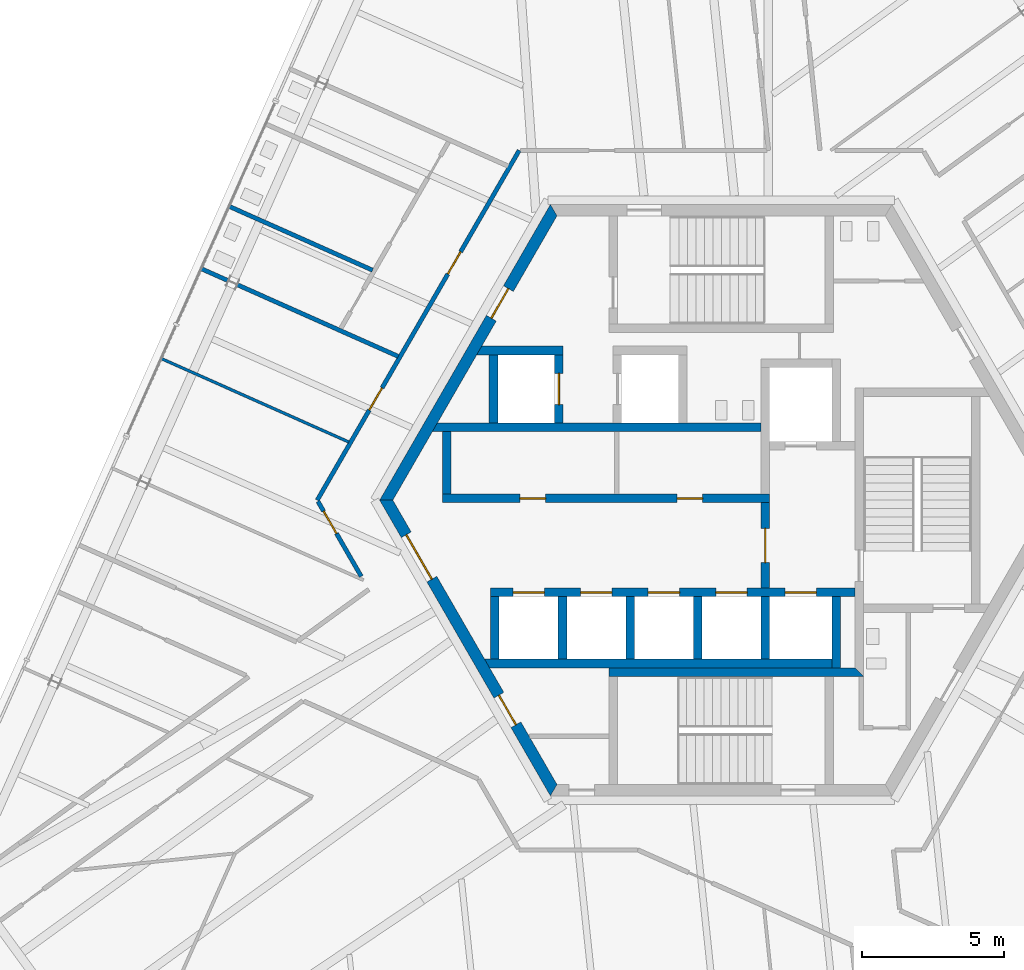
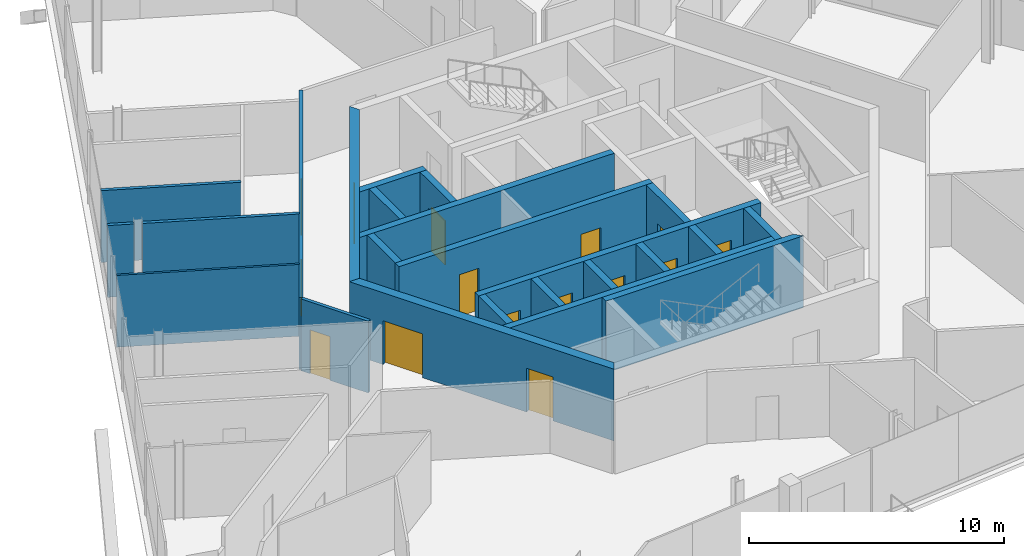
# One storey, part 12 of 19: 24 walls, 15 doors, 15 openings.
"""IFC4 building model written with IfcOpenShell, lengths in metres."""

from ifc_helpers import new_model, si_unit, direction, frame, frame_2d, origin, place, context, subcontext, project, spatial, polyline, rectangle, outline, extrude, source, transform, mapped, material, layer, layer_set, type_object, element, fill, save


model = new_model("IFC4")

# Units and contexts
model_context = context("Model", 3, precision=1e-05, world=origin(), true_north=direction((0.0, 1.0)))
body_context = subcontext(model_context, "Body", "Model", "MODEL_VIEW")
ifc_project = project(units=[si_unit("LENGTHUNIT", "METRE"), si_unit("AREAUNIT", "SQUARE_METRE"), si_unit("VOLUMEUNIT", "CUBIC_METRE"), si_unit("PLANEANGLEUNIT", "RADIAN"), si_unit("MASSUNIT", "GRAM", prefix="KILO")], contexts=[model_context])

# Site, building, storey
site_placement = place(None, origin())
site = spatial("IfcSite", under=ifc_project, at=site_placement, CompositionType="ELEMENT")
building_placement = place(site_placement, origin())
building = spatial("IfcBuilding", under=site, at=building_placement, Name="Triune Harvest Tower", CompositionType="ELEMENT")
storey_placement = place(building_placement, frame((0.0, 0.0, 223.300048828125)))
storey = spatial("IfcBuildingStorey", under=building, at=storey_placement, Name="L58", CompositionType="ELEMENT", Elevation=223.300048828125)

# Wall
ifc_material_1 = material(Name="Gypsum board on steel studs", Category="steel")
ifc_layer_1 = layer(ifc_material_1, 0.10009765625)
ifc_layer_set_1 = layer_set([ifc_layer_1], Name="Gypsum board on steel studs")
wall_type_1 = type_object("IfcWallType", Name="Partition 100 mm", PredefinedType="PARTITIONING", material=ifc_layer_set_1)
wall_1_placement = place(storey_placement, frame((-19.6796875, 4.979248046875, 0.0), z_axis=(0.0, 0.0, 1.0), x_axis=(0.91354782741, -0.40673132045, 0.0)))
element("IfcWall", 1, at=wall_1_placement, inside=storey, type_object=wall_type_1, Name="Partition L58 024", PredefinedType="PARTITIONING", context=body_context, shape_type="SweptSolid", body=[
    extrude(rectangle(XDim=7.220458984375, YDim=0.10009765625, at=frame_2d((3.6103515625, 0.0))), origin(), (0.0, 0.0, 1.0), 3.43994140625),
])

# Wall, opening, door
ifc_material_2 = material(Name="Concrete 70 MPa", Category="concrete")
ifc_layer_2 = layer(ifc_material_2, 0.39990234375)
ifc_layer_set_2 = layer_set([ifc_layer_2], Name="Concrete 70 MPa")
wall_type_2 = type_object("IfcWallType", Name="Core wall 400", PredefinedType="SHEAR", material=ifc_layer_set_2)
shared_shape_1 = source(origin(), body_context, "Body", "SweptSolid", [
    extrude(outline(polyline([(-0.115478515625, -0.199951171875), (11.884521484375, -0.199951171875), (11.653564453125, 0.199951171875), (0.115478515625, 0.199951171875), (-0.115478515625, -0.199951171875)])), origin(), (0.0, 0.0, 1.0), 3.43994140625),
])
wall_2_placement = place(storey_placement, frame((-5.884521484375, 10.1923828125, 0.0), z_axis=(0.0, 0.0, 1.0), x_axis=(-0.499996592174, -0.866027371285, 0.0)))
wall_2 = element("IfcWall", 2, at=wall_2_placement, inside=storey, type_object=wall_type_2, Name="Hexagon 2 wall", PredefinedType="SHEAR", context=body_context, shape_type="MappedRepresentation", body=[
    mapped(shared_shape_1, transform((0.0, 0.0, 0.0), scale=1.0)),
])
opening_1_placement = place(wall_2_placement, frame((3.1845703125, 0.0, 0.0)))
opening_1 = element("IfcOpeningElement", 3, at=opening_1_placement, cuts=wall_2, Name="Opening CD-SVP", PredefinedType="OPENING", context=body_context, shape_type="SweptSolid", body=[
    extrude(rectangle(XDim=1.199951171875, YDim=2.10009765625, at=frame_2d((0.60009765625, 1.050048828125))), frame((0.0, 0.2099609375, 0.0), z_axis=(0.0, -1.0, 0.0), x_axis=(1.0, 0.0, 0.0)), (0.0, 0.0, 1.0), 0.419921875),
])
ifc_material_3 = material(Name="Steel S235", Category="steel")
door_type_1 = type_object("IfcDoorType", Name="Service door 1200 FD120", OperationType="SINGLE_SWING_LEFT", PredefinedType="DOOR", material=ifc_material_3)
door_1_placement = place(opening_1_placement, frame((1.199951171875, 0.0, 0.0), z_axis=(0.0, 0.0, 1.0), x_axis=(-1.0, 0.0, 0.0)))
door_1 = element("IfcDoor", 4, at=door_1_placement, inside=storey, type_object=door_type_1, Name="Door CD-SVP", OperationType="SINGLE_SWING_RIGHT", OverallHeight=2.10009765625, OverallWidth=1.199951171875, PredefinedType="DOOR", context=body_context, shape_type="SweptSolid", body=[
    extrude(rectangle(XDim=1.199951171875, YDim=2.10009765625, at=frame_2d((0.60009765625, 1.050048828125))), frame((0.0, 0.02490234375, 0.0), z_axis=(0.0, -1.0, 0.0), x_axis=(1.0, 0.0, 0.0)), (0.0, 0.0, 1.0), 0.050048828125),
])
fill(opening_1, door_1)

# Wall, openings, doors
wall_3_placement = place(storey_placement, frame((-11.76904296875, 0.0, 0.0), z_axis=(0.0, 0.0, 1.0), x_axis=(0.499996592174, -0.866027371285, 0.0)))
wall_3 = element("IfcWall", 5, at=wall_3_placement, inside=storey, type_object=wall_type_2, Name="Hexagon 3 wall", PredefinedType="SHEAR", context=body_context, shape_type="MappedRepresentation", body=[
    mapped(shared_shape_1, transform((0.0, 0.0, 0.0), scale=1.0)),
])
opening_2_placement = place(wall_3_placement, frame((1.404541015625, 0.0, 0.0)))
opening_2 = element("IfcOpeningElement", 6, at=opening_2_placement, cuts=wall_3, Name="Opening CD-LS", PredefinedType="OPENING", context=body_context, shape_type="SweptSolid", body=[
    extrude(rectangle(XDim=1.800048828125, YDim=2.10009765625, at=frame_2d((0.89990234375, 1.050048828125))), frame((0.0, 0.2099609375, 0.0), z_axis=(0.0, -1.0, 0.0), x_axis=(1.0, 0.0, 0.0)), (0.0, 0.0, 1.0), 0.419921875),
])
opening_3_placement = place(wall_3_placement, frame((7.91455078125, 0.0, 0.0)))
opening_3 = element("IfcOpeningElement", 7, at=opening_3_placement, cuts=wall_3, Name="Opening CD-SWP", PredefinedType="OPENING", context=body_context, shape_type="SweptSolid", body=[
    extrude(rectangle(XDim=1.199951171875, YDim=2.10009765625, at=frame_2d((0.60009765625, 1.050048828125))), frame((0.0, 0.2099609375, 0.0), z_axis=(0.0, -1.0, 0.0), x_axis=(1.0, 0.0, 0.0)), (0.0, 0.0, 1.0), 0.419921875),
])
ifc_material_4 = material(Name="Steel S235", Category="steel")
door_type_2 = type_object("IfcDoorType", Name="Lobby door 1800 FD120", OperationType="DOUBLE_DOOR_DOUBLE_SWING", PredefinedType="DOOR", material=ifc_material_4)
door_2_placement = place(opening_2_placement, frame((1.800048828125, 0.0, 0.0), z_axis=(0.0, 0.0, 1.0), x_axis=(-1.0, 0.0, 0.0)))
door_2 = element("IfcDoor", 8, at=door_2_placement, inside=storey, type_object=door_type_2, Name="Door CD-LS", OperationType="DOUBLE_DOOR_DOUBLE_SWING", OverallHeight=2.10009765625, OverallWidth=1.800048828125, PredefinedType="DOOR", context=body_context, shape_type="SweptSolid", body=[
    extrude(rectangle(XDim=1.800048828125, YDim=2.10009765625, at=frame_2d((0.89990234375, 1.050048828125))), frame((0.0, 0.02490234375, 0.0), z_axis=(0.0, -1.0, 0.0), x_axis=(1.0, 0.0, 0.0)), (0.0, 0.0, 1.0), 0.050048828125),
])
fill(opening_2, door_2)
door_3_placement = place(opening_3_placement, frame((1.199951171875, 0.0, 0.0), z_axis=(0.0, 0.0, 1.0), x_axis=(-1.0, 0.0, 0.0)))
door_3 = element("IfcDoor", 9, at=door_3_placement, inside=storey, type_object=door_type_1, Name="Door CD-SWP", OperationType="SINGLE_SWING_RIGHT", OverallHeight=2.10009765625, OverallWidth=1.199951171875, PredefinedType="DOOR", context=body_context, shape_type="SweptSolid", body=[
    extrude(rectangle(XDim=1.199951171875, YDim=2.10009765625, at=frame_2d((0.60009765625, 1.050048828125))), frame((0.0, 0.02490234375, 0.0), z_axis=(0.0, -1.0, 0.0), x_axis=(1.0, 0.0, 0.0)), (0.0, 0.0, 1.0), 0.050048828125),
])
fill(opening_3, door_3)

ifc_material_5 = material(Name="Concrete 70 MPa", Category="concrete")
ifc_layer_3 = layer(ifc_material_5, 0.300048828125)
ifc_layer_set_3 = layer_set([ifc_layer_3], Name="Concrete 70 MPa")
wall_type_3 = type_object("IfcWallType", Name="Core wall 300", PredefinedType="SHEAR", material=ifc_layer_set_3)
shared_shape_2 = source(origin(), body_context, "Body", "SweptSolid", [
    extrude(rectangle(XDim=11.5, YDim=0.300048828125, at=frame_2d((5.75, 0.0))), origin(), (0.0, 0.0, 1.0), 3.43994140625),
])
wall_4_placement = place(storey_placement, frame((-9.800048828125, 0.06005859375, 0.0), z_axis=(0.0, 0.0, 1.0), x_axis=(1.0, 0.0, 0.0)))
wall_4 = element("IfcWall", 10, at=wall_4_placement, inside=storey, type_object=wall_type_3, Name="North front wall", PredefinedType="SHEAR", context=body_context, shape_type="MappedRepresentation", body=[
    mapped(shared_shape_2, transform((0.0, 0.0, 0.0), scale=1.0)),
])
opening_4_placement = place(wall_4_placement, frame((2.7275390625, 0.0, 0.0)))
opening_4 = element("IfcOpeningElement", 11, at=opening_4_placement, cuts=wall_4, Name="Opening CD-RN1", PredefinedType="OPENING", context=body_context, shape_type="SweptSolid", body=[
    extrude(rectangle(XDim=0.89990234375, YDim=2.10009765625, at=frame_2d((0.449951171875, 1.050048828125))), frame((0.0, 0.16015625, 0.0), z_axis=(0.0, -1.0, 0.0), x_axis=(1.0, 0.0, 0.0)), (0.0, 0.0, 1.0), 0.320068359375),
])
opening_5_placement = place(wall_4_placement, frame((8.25244140625, 0.0, 0.0)))
opening_5 = element("IfcOpeningElement", 12, at=opening_5_placement, cuts=wall_4, Name="Opening CD-RN2", PredefinedType="OPENING", context=body_context, shape_type="SweptSolid", body=[
    extrude(rectangle(XDim=0.89990234375, YDim=2.10009765625, at=frame_2d((0.449951171875, 1.050048828125))), frame((0.0, 0.16015625, 0.0), z_axis=(0.0, -1.0, 0.0), x_axis=(1.0, 0.0, 0.0)), (0.0, 0.0, 1.0), 0.320068359375),
])
ifc_material_6 = material(Name="Steel S235", Category="steel")
door_type_3 = type_object("IfcDoorType", Name="Riser door 900 FD120", OperationType="SINGLE_SWING_LEFT", PredefinedType="DOOR", material=ifc_material_6)
door_4_placement = place(opening_4_placement, frame((0.89990234375, 0.0, 0.0), z_axis=(0.0, 0.0, 1.0), x_axis=(-1.0, 0.0, 0.0)))
door_4 = element("IfcDoor", 13, at=door_4_placement, inside=storey, type_object=door_type_3, Name="Door CD-RN1", OperationType="SINGLE_SWING_RIGHT", OverallHeight=2.10009765625, OverallWidth=0.89990234375, PredefinedType="DOOR", context=body_context, shape_type="SweptSolid", body=[
    extrude(rectangle(XDim=0.89990234375, YDim=2.10009765625, at=frame_2d((0.449951171875, 1.050048828125))), frame((0.0, 0.02490234375, 0.0), z_axis=(0.0, -1.0, 0.0), x_axis=(1.0, 0.0, 0.0)), (0.0, 0.0, 1.0), 0.050048828125),
])
fill(opening_4, door_4)
door_5_placement = place(opening_5_placement, frame((0.89990234375, 0.0, 0.0), z_axis=(0.0, 0.0, 1.0), x_axis=(-1.0, 0.0, 0.0)))
door_5 = element("IfcDoor", 14, at=door_5_placement, inside=storey, type_object=door_type_3, Name="Door CD-RN2", OperationType="SINGLE_SWING_RIGHT", OverallHeight=2.10009765625, OverallWidth=0.89990234375, PredefinedType="DOOR", context=body_context, shape_type="SweptSolid", body=[
    extrude(rectangle(XDim=0.89990234375, YDim=2.10009765625, at=frame_2d((0.449951171875, 1.050048828125))), frame((0.0, 0.02490234375, 0.0), z_axis=(0.0, -1.0, 0.0), x_axis=(1.0, 0.0, 0.0)), (0.0, 0.0, 1.0), 0.050048828125),
])
fill(opening_5, door_5)

# Walls
shared_shape_3 = source(origin(), body_context, "Body", "SweptSolid", [
    extrude(outline(polyline([(11.199951171875, -0.14990234375), (-0.34912109375, -0.14990234375), (-0.17578125, 0.14990234375), (11.199951171875, 0.14990234375), (11.199951171875, -0.14990234375)])), origin(), (0.0, 0.0, 1.0), 3.43994140625),
])
wall_5_placement = place(storey_placement, frame((-9.800048828125, 2.56005859375, 0.0), z_axis=(0.0, 0.0, 1.0), x_axis=(1.0, 0.0, 0.0)))
element("IfcWall", 15, at=wall_5_placement, inside=storey, type_object=wall_type_3, Name="North back wall", PredefinedType="SHEAR", context=body_context, shape_type="MappedRepresentation", body=[
    mapped(shared_shape_3, transform((0.0, 0.0, 0.0), scale=1.0)),
])
shared_shape_4 = source(origin(), body_context, "Body", "SweptSolid", [
    extrude(rectangle(XDim=2.5, YDim=0.300048828125, at=frame_2d((1.25, 0.0))), origin(), (0.0, 0.0, 1.0), 3.43994140625),
])
wall_6_placement = place(storey_placement, frame((4.050048828125, -5.889892578125, 0.0), z_axis=(0.0, 0.0, 1.0), x_axis=(0.0, 1.0, 0.0)))
element("IfcWall", 16, at=wall_6_placement, inside=storey, type_object=wall_type_3, Name="Ff2 east wall", PredefinedType="SHEAR", context=body_context, shape_type="MappedRepresentation", body=[
    mapped(shared_shape_4, transform((0.0, 0.0, 0.0), scale=1.0)),
])

# Wall, opening, door
shared_shape_5 = source(origin(), body_context, "Body", "SweptSolid", [
    extrude(rectangle(XDim=3.0, YDim=0.300048828125, at=frame_2d((1.5, 0.0))), origin(), (0.0, 0.0, 1.0), 3.43994140625),
])
wall_7_placement = place(storey_placement, frame((1.550048828125, -3.090087890625, 0.0), z_axis=(0.0, 0.0, 1.0), x_axis=(0.0, 1.0, 0.0)))
wall_7 = element("IfcWall", 17, at=wall_7_placement, inside=storey, type_object=wall_type_3, Name="Ff lobby west wall", PredefinedType="SHEAR", context=body_context, shape_type="MappedRepresentation", body=[
    mapped(shared_shape_5, transform((0.0, 0.0, 0.0), scale=1.0)),
])
opening_6_placement = place(wall_7_placement, frame((0.89990234375, 0.0, 0.0)))
opening_6 = element("IfcOpeningElement", 18, at=opening_6_placement, cuts=wall_7, Name="Opening CD-FL", PredefinedType="OPENING", context=body_context, shape_type="SweptSolid", body=[
    extrude(rectangle(XDim=1.199951171875, YDim=2.10009765625, at=frame_2d((0.60009765625, 1.050048828125))), frame((0.0, 0.16015625, 0.0), z_axis=(0.0, -1.0, 0.0), x_axis=(1.0, 0.0, 0.0)), (0.0, 0.0, 1.0), 0.320068359375),
])
ifc_material_7 = material(Name="Steel S235", Category="steel")
door_type_4 = type_object("IfcDoorType", Name="Firefighters' lobby door 1200 FD120", OperationType="SINGLE_SWING_LEFT", PredefinedType="DOOR", material=ifc_material_7)
door_6_placement = place(opening_6_placement, frame((1.199951171875, 0.0, 0.0), z_axis=(0.0, 0.0, 1.0), x_axis=(-1.0, 0.0, 0.0)))
door_6 = element("IfcDoor", 19, at=door_6_placement, inside=storey, type_object=door_type_4, Name="Door CD-FL", OperationType="SINGLE_SWING_RIGHT", OverallHeight=2.10009765625, OverallWidth=1.199951171875, PredefinedType="DOOR", context=body_context, shape_type="SweptSolid", body=[
    extrude(rectangle(XDim=1.199951171875, YDim=2.10009765625, at=frame_2d((0.60009765625, 1.050048828125))), frame((0.0, 0.02490234375, 0.0), z_axis=(0.0, -1.0, 0.0), x_axis=(1.0, 0.0, 0.0)), (0.0, 0.0, 1.0), 0.050048828125),
])
fill(opening_6, door_6)

# Wall, openings, doors
shared_shape_6 = source(origin(), body_context, "Body", "SweptSolid", [
    extrude(rectangle(XDim=12.800048828125, YDim=0.300048828125, at=frame_2d((6.39990234375, 0.0))), origin(), (0.0, 0.0, 1.0), 3.43994140625),
])
wall_8_placement = place(storey_placement, frame((-8.10009765625, -3.239990234375, 0.0), z_axis=(0.0, 0.0, 1.0), x_axis=(1.0, 0.0, 0.0)))
wall_8 = element("IfcWall", 20, at=wall_8_placement, inside=storey, type_object=wall_type_3, Name="South front wall", PredefinedType="SHEAR", context=body_context, shape_type="MappedRepresentation", body=[
    mapped(shared_shape_6, transform((0.0, 0.0, 0.0), scale=1.0)),
])
opening_7_placement = place(wall_8_placement, frame((0.78759765625, 0.0, 0.0)))
opening_7 = element("IfcOpeningElement", 21, at=opening_7_placement, cuts=wall_8, Name="Opening LD-HR1-58", PredefinedType="OPENING", context=body_context, shape_type="SweptSolid", body=[
    extrude(rectangle(XDim=1.10009765625, YDim=2.10009765625, at=frame_2d((0.550048828125, 1.050048828125))), frame((0.0, 0.16015625, 0.0), z_axis=(0.0, -1.0, 0.0), x_axis=(1.0, 0.0, 0.0)), (0.0, 0.0, 1.0), 0.320068359375),
])
opening_8_placement = place(wall_8_placement, frame((3.16259765625, 0.0, 0.0)))
opening_8 = element("IfcOpeningElement", 22, at=opening_8_placement, cuts=wall_8, Name="Opening LD-HR2-58", PredefinedType="OPENING", context=body_context, shape_type="SweptSolid", body=[
    extrude(rectangle(XDim=1.10009765625, YDim=2.10009765625, at=frame_2d((0.550048828125, 1.050048828125))), frame((0.0, 0.16015625, 0.0), z_axis=(0.0, -1.0, 0.0), x_axis=(1.0, 0.0, 0.0)), (0.0, 0.0, 1.0), 0.320068359375),
])
opening_9_placement = place(wall_8_placement, frame((5.53759765625, 0.0, 0.0)))
opening_9 = element("IfcOpeningElement", 23, at=opening_9_placement, cuts=wall_8, Name="Opening LD-HR3-58", PredefinedType="OPENING", context=body_context, shape_type="SweptSolid", body=[
    extrude(rectangle(XDim=1.10009765625, YDim=2.10009765625, at=frame_2d((0.550048828125, 1.050048828125))), frame((0.0, 0.16015625, 0.0), z_axis=(0.0, -1.0, 0.0), x_axis=(1.0, 0.0, 0.0)), (0.0, 0.0, 1.0), 0.320068359375),
])
opening_10_placement = place(wall_8_placement, frame((7.91259765625, 0.0, 0.0)))
opening_10 = element("IfcOpeningElement", 24, at=opening_10_placement, cuts=wall_8, Name="Opening LD-HR4-58", PredefinedType="OPENING", context=body_context, shape_type="SweptSolid", body=[
    extrude(rectangle(XDim=1.10009765625, YDim=2.10009765625, at=frame_2d((0.550048828125, 1.050048828125))), frame((0.0, 0.16015625, 0.0), z_axis=(0.0, -1.0, 0.0), x_axis=(1.0, 0.0, 0.0)), (0.0, 0.0, 1.0), 0.320068359375),
])
opening_11_placement = place(wall_8_placement, frame((10.35009765625, 0.0, 0.0)))
opening_11 = element("IfcOpeningElement", 25, at=opening_11_placement, cuts=wall_8, Name="Opening LD-FF2-58", PredefinedType="OPENING", context=body_context, shape_type="SweptSolid", body=[
    extrude(rectangle(XDim=1.10009765625, YDim=2.10009765625, at=frame_2d((0.550048828125, 1.050048828125))), frame((0.0, 0.16015625, 0.0), z_axis=(0.0, -1.0, 0.0), x_axis=(1.0, 0.0, 0.0)), (0.0, 0.0, 1.0), 0.320068359375),
])
ifc_material_8 = material(Name="Stainless steel AISI 304", Category="steel")
door_type_5 = type_object("IfcDoorType", Name="Landing door 1100 x 2100", OperationType="DOUBLE_DOOR_SLIDING", PredefinedType="DOOR", material=ifc_material_8)
door_7_placement = place(opening_7_placement, origin())
door_7 = element("IfcDoor", 26, at=door_7_placement, inside=storey, type_object=door_type_5, Name="Door LD-HR1-58", OperationType="DOUBLE_DOOR_SLIDING", OverallHeight=2.10009765625, OverallWidth=1.10009765625, PredefinedType="DOOR", context=body_context, shape_type="SweptSolid", body=[
    extrude(rectangle(XDim=1.10009765625, YDim=2.10009765625, at=frame_2d((0.550048828125, 1.050048828125))), frame((0.0, 0.02490234375, 0.0), z_axis=(0.0, -1.0, 0.0), x_axis=(1.0, 0.0, 0.0)), (0.0, 0.0, 1.0), 0.050048828125),
])
fill(opening_7, door_7)
door_8_placement = place(opening_8_placement, origin())
door_8 = element("IfcDoor", 27, at=door_8_placement, inside=storey, type_object=door_type_5, Name="Door LD-HR2-58", OperationType="DOUBLE_DOOR_SLIDING", OverallHeight=2.10009765625, OverallWidth=1.10009765625, PredefinedType="DOOR", context=body_context, shape_type="SweptSolid", body=[
    extrude(rectangle(XDim=1.10009765625, YDim=2.10009765625, at=frame_2d((0.550048828125, 1.050048828125))), frame((0.0, 0.02490234375, 0.0), z_axis=(0.0, -1.0, 0.0), x_axis=(1.0, 0.0, 0.0)), (0.0, 0.0, 1.0), 0.050048828125),
])
fill(opening_8, door_8)
door_9_placement = place(opening_9_placement, origin())
door_9 = element("IfcDoor", 28, at=door_9_placement, inside=storey, type_object=door_type_5, Name="Door LD-HR3-58", OperationType="DOUBLE_DOOR_SLIDING", OverallHeight=2.10009765625, OverallWidth=1.10009765625, PredefinedType="DOOR", context=body_context, shape_type="SweptSolid", body=[
    extrude(rectangle(XDim=1.10009765625, YDim=2.10009765625, at=frame_2d((0.550048828125, 1.050048828125))), frame((0.0, 0.02490234375, 0.0), z_axis=(0.0, -1.0, 0.0), x_axis=(1.0, 0.0, 0.0)), (0.0, 0.0, 1.0), 0.050048828125),
])
fill(opening_9, door_9)
door_10_placement = place(opening_10_placement, origin())
door_10 = element("IfcDoor", 29, at=door_10_placement, inside=storey, type_object=door_type_5, Name="Door LD-HR4-58", OperationType="DOUBLE_DOOR_SLIDING", OverallHeight=2.10009765625, OverallWidth=1.10009765625, PredefinedType="DOOR", context=body_context, shape_type="SweptSolid", body=[
    extrude(rectangle(XDim=1.10009765625, YDim=2.10009765625, at=frame_2d((0.550048828125, 1.050048828125))), frame((0.0, 0.02490234375, 0.0), z_axis=(0.0, -1.0, 0.0), x_axis=(1.0, 0.0, 0.0)), (0.0, 0.0, 1.0), 0.050048828125),
])
fill(opening_10, door_10)
door_11_placement = place(opening_11_placement, origin())
door_11 = element("IfcDoor", 30, at=door_11_placement, inside=storey, type_object=door_type_5, Name="Door LD-FF2-58", OperationType="DOUBLE_DOOR_SLIDING", OverallHeight=2.10009765625, OverallWidth=1.10009765625, PredefinedType="DOOR", context=body_context, shape_type="SweptSolid", body=[
    extrude(rectangle(XDim=1.10009765625, YDim=2.10009765625, at=frame_2d((0.550048828125, 1.050048828125))), frame((0.0, 0.02490234375, 0.0), z_axis=(0.0, -1.0, 0.0), x_axis=(1.0, 0.0, 0.0)), (0.0, 0.0, 1.0), 0.050048828125),
])
fill(opening_11, door_11)

# Walls
shared_shape_7 = source(origin(), body_context, "Body", "SweptSolid", [
    extrude(outline(polyline([(12.0, -0.14990234375), (-0.039794921875, -0.14990234375), (-0.212890625, 0.14990234375), (12.0, 0.14990234375), (12.0, -0.14990234375)])), origin(), (0.0, 0.0, 1.0), 3.43994140625),
])
wall_9_placement = place(storey_placement, frame((-8.10009765625, -5.739990234375, 0.0), z_axis=(0.0, 0.0, 1.0), x_axis=(1.0, 0.0, 0.0)))
element("IfcWall", 31, at=wall_9_placement, inside=storey, type_object=wall_type_3, Name="South back wall", PredefinedType="SHEAR", context=body_context, shape_type="MappedRepresentation", body=[
    mapped(shared_shape_7, transform((0.0, 0.0, 0.0), scale=1.0)),
])
shared_shape_8 = source(origin(), body_context, "Body", "SweptSolid", [
    extrude(rectangle(XDim=2.2001953125, YDim=0.300048828125, at=frame_2d((1.10009765625, 0.0))), origin(), (0.0, 0.0, 1.0), 3.43994140625),
])
for number, where, z_axis, x_axis, name in (
    (32, (-7.949951171875, -5.590087890625, 0.0), (0.0, 0.0, 1.0), (0.0, 1.0, 0.0), "South end west wall"),
    (33, (1.550048828125, -5.590087890625, 0.0), (0.0, 0.0, 1.0), (0.0, 1.0, 0.0), "Ff2 west wall"),
    (34, (-5.574951171875, -5.590087890625, 0.0), (0.0, 0.0, 1.0), (0.0, 1.0, 0.0), "South cross 1 wall"),
    (35, (-3.199951171875, -5.590087890625, 0.0), (0.0, 0.0, 1.0), (0.0, 1.0, 0.0), "South cross 2 wall"),
    (36, (-0.824951171875, -5.590087890625, 0.0), (0.0, 0.0, 1.0), (0.0, 1.0, 0.0), "South cross 3 wall"),
):
    element("IfcWall", number, at=place(storey_placement, frame(where, z_axis=z_axis, x_axis=x_axis)), inside=storey, type_object=wall_type_3, Name=name, PredefinedType="SHEAR", context=body_context, shape_type="MappedRepresentation", body=[
        mapped(shared_shape_8, transform((0.0, 0.0, 0.0), scale=1.0)),
    ])
shared_shape_9 = source(origin(), body_context, "Body", "SweptSolid", [
    extrude(rectangle(XDim=2.199951171875, YDim=0.300048828125, at=frame_2d((1.10009765625, 0.0))), origin(), (0.0, 0.0, 1.0), 3.43994140625),
])
wall_10_placement = place(storey_placement, frame((-9.64990234375, 0.2099609375, 0.0), z_axis=(0.0, 0.0, 1.0), x_axis=(0.0, 1.0, 0.0)))
element("IfcWall", 37, at=wall_10_placement, inside=storey, type_object=wall_type_3, Name="North end west wall", PredefinedType="SHEAR", context=body_context, shape_type="MappedRepresentation", body=[
    mapped(shared_shape_9, transform((0.0, 0.0, 0.0), scale=1.0)),
])
shared_shape_10 = source(origin(), body_context, "Body", "SweptSolid", [
    extrude(outline(polyline([(0.0, -0.14990234375), (8.949951171875, -0.14990234375), (8.64990234375, 0.14990234375), (0.0, 0.14990234375), (0.0, -0.14990234375)])), origin(), (0.0, 0.0, 1.0), 3.43994140625),
])
wall_11_placement = place(storey_placement, frame((-3.949951171875, -6.0400390625, 0.0), z_axis=(0.0, 0.0, 1.0), x_axis=(1.0, 0.0, 0.0)))
element("IfcWall", 38, at=wall_11_placement, inside=storey, type_object=wall_type_3, Name="Stair s north wall", PredefinedType="SHEAR", context=body_context, shape_type="MappedRepresentation", body=[
    mapped(shared_shape_10, transform((0.0, 0.0, 0.0), scale=1.0)),
])
shared_shape_11 = source(origin(), body_context, "Body", "SweptSolid", [
    extrude(outline(polyline([(2.60009765625, -0.14990234375), (-0.440185546875, -0.14990234375), (-0.26708984375, 0.14990234375), (2.60009765625, 0.14990234375), (2.60009765625, -0.14990234375)])), origin(), (0.0, 0.0, 1.0), 3.43994140625),
])
wall_12_placement = place(storey_placement, frame((-8.14990234375, 5.260009765625, 0.0), z_axis=(0.0, 0.0, 1.0), x_axis=(1.0, 0.0, 0.0)))
element("IfcWall", 39, at=wall_12_placement, inside=storey, type_object=wall_type_3, Name="Sv1 north wall", PredefinedType="SHEAR", context=body_context, shape_type="MappedRepresentation", body=[
    mapped(shared_shape_11, transform((0.0, 0.0, 0.0), scale=1.0)),
])
shared_shape_12 = source(origin(), body_context, "Body", "SweptSolid", [
    extrude(rectangle(XDim=2.400146484375, YDim=0.300048828125, at=frame_2d((1.2001953125, 0.0))), origin(), (0.0, 0.0, 1.0), 3.43994140625),
])
wall_13_placement = place(storey_placement, frame((-8.0, 2.7099609375, 0.0), z_axis=(0.0, 0.0, 1.0), x_axis=(0.0, 1.0, 0.0)))
element("IfcWall", 40, at=wall_13_placement, inside=storey, type_object=wall_type_3, Name="Sv1 west wall", PredefinedType="SHEAR", context=body_context, shape_type="MappedRepresentation", body=[
    mapped(shared_shape_12, transform((0.0, 0.0, 0.0), scale=1.0)),
])

# Wall, opening, door
wall_14_placement = place(storey_placement, frame((-5.699951171875, 2.7099609375, 0.0), z_axis=(0.0, 0.0, 1.0), x_axis=(0.0, 1.0, 0.0)))
wall_14 = element("IfcWall", 41, at=wall_14_placement, inside=storey, type_object=wall_type_3, Name="Sv1 east wall", PredefinedType="SHEAR", context=body_context, shape_type="MappedRepresentation", body=[
    mapped(shared_shape_12, transform((0.0, 0.0, 0.0), scale=1.0)),
])
opening_12_placement = place(wall_14_placement, frame((0.64990234375, 0.0, 0.0)))
opening_12 = element("IfcOpeningElement", 42, at=opening_12_placement, cuts=wall_14, Name="Opening LD-SV1-58", PredefinedType="OPENING", context=body_context, shape_type="SweptSolid", body=[
    extrude(rectangle(XDim=1.10009765625, YDim=2.10009765625, at=frame_2d((0.550048828125, 1.050048828125))), frame((0.0, 0.16015625, 0.0), z_axis=(0.0, -1.0, 0.0), x_axis=(1.0, 0.0, 0.0)), (0.0, 0.0, 1.0), 0.320068359375),
])
door_12_placement = place(opening_12_placement, origin())
door_12 = element("IfcDoor", 43, at=door_12_placement, inside=storey, type_object=door_type_5, Name="Door LD-SV1-58", OperationType="DOUBLE_DOOR_SLIDING", OverallHeight=2.10009765625, OverallWidth=1.10009765625, PredefinedType="DOOR", context=body_context, shape_type="SweptSolid", body=[
    extrude(rectangle(XDim=1.10009765625, YDim=2.10009765625, at=frame_2d((0.550048828125, 1.050048828125))), frame((0.0, 0.02490234375, 0.0), z_axis=(0.0, -1.0, 0.0), x_axis=(1.0, 0.0, 0.0)), (0.0, 0.0, 1.0), 0.050048828125),
])
fill(opening_12, door_12)

# Wall, openings, doors
ifc_material_9 = material(Name="Gypsum board on steel studs", Category="steel")
ifc_layer_4 = layer(ifc_material_9, 0.14990234375)
ifc_layer_set_4 = layer_set([ifc_layer_4], Name="Gypsum board on steel studs")
wall_type_4 = type_object("IfcWallType", Name="Fire Partition 150 mm", PredefinedType="PARTITIONING", material=ifc_layer_set_4)
shared_shape_13 = source(origin(), body_context, "Body", "SweptSolid", [
    extrude(rectangle(XDim=14.194091796875, YDim=0.14990234375, at=frame_2d((7.09716796875, 0.0))), origin(), (0.0, 0.0, 1.0), 3.43994140625),
])
wall_15_placement = place(storey_placement, frame((-14.194091796875, 0.0, 0.0), z_axis=(0.0, 0.0, 1.0), x_axis=(0.500012787896, 0.866018020563, 0.0)))
wall_15 = element("IfcWall", 44, at=wall_15_placement, inside=storey, type_object=wall_type_4, Name="Partition L58 057", PredefinedType="PARTITIONING", context=body_context, shape_type="MappedRepresentation", body=[
    mapped(shared_shape_13, transform((0.0, 0.0, 0.0), scale=1.0)),
])
opening_13_placement = place(wall_15_placement, frame((9.1767578125, 0.0, 0.0)))
opening_13 = element("IfcOpeningElement", 45, at=opening_13_placement, cuts=wall_15, Name="Opening L58-012", PredefinedType="OPENING", context=body_context, shape_type="SweptSolid", body=[
    extrude(rectangle(XDim=0.89990234375, YDim=2.10009765625, at=frame_2d((0.449951171875, 1.050048828125))), frame((0.0, 0.0849609375, 0.0), z_axis=(0.0, -1.0, 0.0), x_axis=(1.0, 0.0, 0.0)), (0.0, 0.0, 1.0), 0.169921875),
])
opening_14_placement = place(wall_15_placement, frame((3.655029296875, 0.0, 0.0)))
opening_14 = element("IfcOpeningElement", 46, at=opening_14_placement, cuts=wall_15, Name="Opening L58-017", PredefinedType="OPENING", context=body_context, shape_type="SweptSolid", body=[
    extrude(rectangle(XDim=0.89990234375, YDim=2.10009765625, at=frame_2d((0.449951171875, 1.050048828125))), frame((0.0, 0.0849609375, 0.0), z_axis=(0.0, -1.0, 0.0), x_axis=(1.0, 0.0, 0.0)), (0.0, 0.0, 1.0), 0.169921875),
])
ifc_material_10 = material(Name="Timber and steel door set", Category="steel")
door_type_6 = type_object("IfcDoorType", Name="Single leaf door FD30 left hand 900 x 2100", OperationType="SINGLE_SWING_LEFT", PredefinedType="DOOR", material=ifc_material_10)
door_13_placement = place(opening_14_placement, origin())
door_13 = element("IfcDoor", 47, at=door_13_placement, inside=storey, type_object=door_type_6, Name="Door L58-017 Phone room 58.17", OperationType="SINGLE_SWING_LEFT", OverallHeight=2.10009765625, OverallWidth=0.89990234375, PredefinedType="DOOR", context=body_context, shape_type="SweptSolid", body=[
    extrude(rectangle(XDim=0.89990234375, YDim=2.10009765625, at=frame_2d((0.449951171875, 1.050048828125))), frame((0.0, 0.02490234375, 0.0), z_axis=(0.0, -1.0, 0.0), x_axis=(1.0, 0.0, 0.0)), (0.0, 0.0, 1.0), 0.050048828125),
])
fill(opening_14, door_13)
ifc_material_11 = material(Name="Timber and steel door set", Category="steel")
door_type_7 = type_object("IfcDoorType", Name="Single leaf door FD30 right hand 900 x 2100", OperationType="SINGLE_SWING_RIGHT", PredefinedType="DOOR", material=ifc_material_11)
door_14_placement = place(opening_13_placement, origin())
door_14 = element("IfcDoor", 48, at=door_14_placement, inside=storey, type_object=door_type_7, Name="Door L58-012 WC lobby 58.12", OperationType="SINGLE_SWING_RIGHT", OverallHeight=2.10009765625, OverallWidth=0.89990234375, PredefinedType="DOOR", context=body_context, shape_type="SweptSolid", body=[
    extrude(rectangle(XDim=0.89990234375, YDim=2.10009765625, at=frame_2d((0.449951171875, 1.050048828125))), frame((0.0, 0.02490234375, 0.0), z_axis=(0.0, -1.0, 0.0), x_axis=(1.0, 0.0, 0.0)), (0.0, 0.0, 1.0), 0.050048828125),
])
fill(opening_13, door_14)

# Wall, opening, door
shared_shape_14 = source(origin(), body_context, "Body", "SweptSolid", [
    extrude(rectangle(XDim=3.042724609375, YDim=0.14990234375, at=frame_2d((1.521484375, 0.0))), origin(), (0.0, 0.0, 1.0), 3.43994140625),
])
wall_16_placement = place(storey_placement, frame((-14.1689453125, -0.04345703125, 0.0), z_axis=(0.0, 0.0, 1.0), x_axis=(0.500039629421, -0.866002522519, 0.0)))
wall_16 = element("IfcWall", 49, at=wall_16_placement, inside=storey, type_object=wall_type_4, Name="Partition L58 009", PredefinedType="PARTITIONING", context=body_context, shape_type="MappedRepresentation", body=[
    mapped(shared_shape_14, transform((0.0, 0.0, 0.0), scale=1.0)),
])
opening_15_placement = place(wall_16_placement, frame((0.39990234375, 0.0, 0.0)))
opening_15 = element("IfcOpeningElement", 50, at=opening_15_placement, cuts=wall_16, Name="Opening L58-016", PredefinedType="OPENING", context=body_context, shape_type="SweptSolid", body=[
    extrude(rectangle(XDim=0.89990234375, YDim=2.10009765625, at=frame_2d((0.449951171875, 1.050048828125))), frame((0.0, 0.0849609375, 0.0), z_axis=(0.0, -1.0, 0.0), x_axis=(1.0, 0.0, 0.0)), (0.0, 0.0, 1.0), 0.169921875),
])
door_15_placement = place(opening_15_placement, origin())
door_15 = element("IfcDoor", 51, at=door_15_placement, inside=storey, type_object=door_type_7, Name="Door L58-016 Meeting Room 58.16", OperationType="SINGLE_SWING_RIGHT", OverallHeight=2.10009765625, OverallWidth=0.89990234375, PredefinedType="DOOR", context=body_context, shape_type="SweptSolid", body=[
    extrude(rectangle(XDim=0.89990234375, YDim=2.10009765625, at=frame_2d((0.449951171875, 1.050048828125))), frame((0.0, 0.02490234375, 0.0), z_axis=(0.0, -1.0, 0.0), x_axis=(1.0, 0.0, 0.0)), (0.0, 0.0, 1.0), 0.050048828125),
])
fill(opening_15, door_15)

# Walls
shared_shape_15 = source(origin(), body_context, "Body", "SweptSolid", [
    extrude(rectangle(XDim=6.2001953125, YDim=0.14990234375, at=frame_2d((3.10009765625, 0.0))), origin(), (0.0, 0.0, 1.0), 3.43994140625),
])
wall_17_placement = place(storey_placement, frame((-17.010498046875, 7.573486328125, 0.0), z_axis=(0.0, 0.0, 1.0), x_axis=(0.913556441161, -0.406711972792, 0.0)))
element("IfcWall", 52, at=wall_17_placement, inside=storey, type_object=wall_type_4, Name="Partition L58 026", PredefinedType="PARTITIONING", context=body_context, shape_type="MappedRepresentation", body=[
    mapped(shared_shape_15, transform((0.0, 0.0, 0.0), scale=1.0)),
])
shared_shape_16 = source(origin(), body_context, "Body", "SweptSolid", [
    extrude(rectangle(XDim=5.523193359375, YDim=0.14990234375, at=frame_2d((2.76171875, 0.0))), origin(), (0.0, 0.0, 1.0), 3.43994140625),
])
wall_18_placement = place(storey_placement, frame((-17.2978515625, 10.32861328125, 0.0), z_axis=(0.0, 0.0, 1.0), x_axis=(0.913554347178, -0.406716676266, 0.0)))
element("IfcWall", 53, at=wall_18_placement, inside=storey, type_object=wall_type_4, Name="Partition L58 029", PredefinedType="PARTITIONING", context=body_context, shape_type="MappedRepresentation", body=[
    mapped(shared_shape_16, transform((0.0, 0.0, 0.0), scale=1.0)),
])
shared_shape_17 = source(origin(), body_context, "Body", "SweptSolid", [
    extrude(rectangle(XDim=1.0478515625, YDim=0.14990234375, at=frame_2d((0.52392578125, 0.0))), origin(), (0.0, 0.0, 1.0), 3.43994140625),
])
wall_19_placement = place(storey_placement, frame((-18.274169921875, 8.13623046875, 0.0), z_axis=(0.0, 0.0, 1.0), x_axis=(0.913609658968, -0.406592413899, 0.0)))
element("IfcWall", 54, at=wall_19_placement, inside=storey, type_object=wall_type_4, Name="Partition L58 025", PredefinedType="PARTITIONING", context=body_context, shape_type="MappedRepresentation", body=[
    mapped(shared_shape_17, transform((0.0, 0.0, 0.0), scale=1.0)),
])

save(model, "model.ifc")
